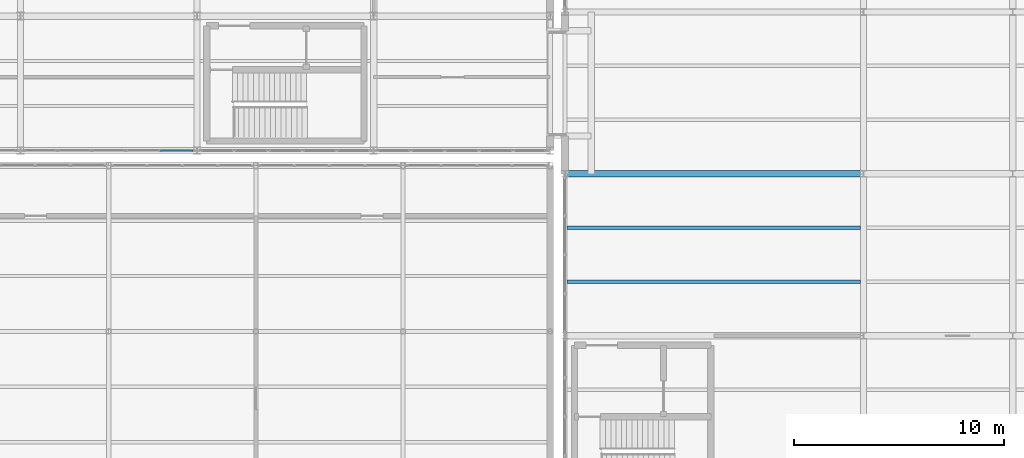
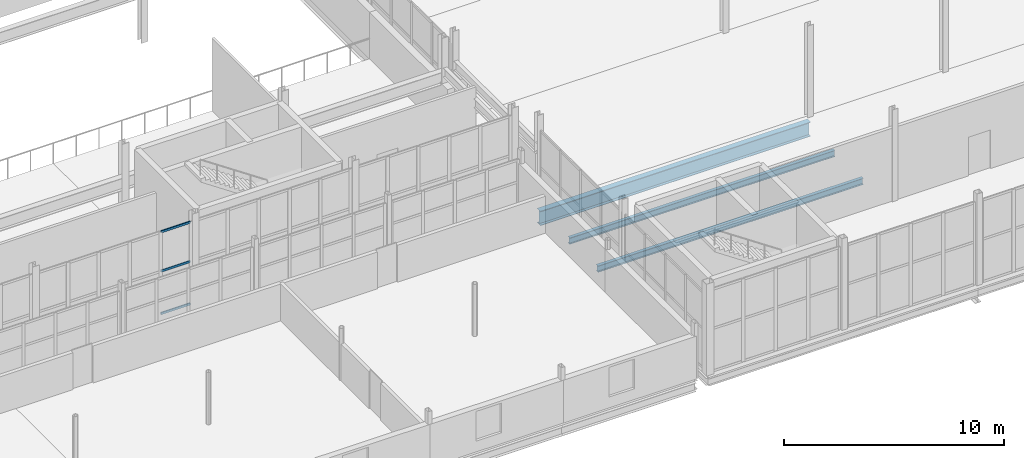
# One storey, part 108 of 218: 3 beams, 3 members, 1 element without a shape of its own.
"""IFC4 building model written with IfcOpenShell, lengths in metres."""

from ifc_helpers import new_model, si_unit, direction, frame, origin, origin_2d, place, context, subcontext, project, spatial, hollow_rectangle, i_section, extrude, material, material_profile, profile_set, type_object, element, aggregate, save


model = new_model("IFC4")

# Units and contexts
model_context = context("Model", 3, precision=1e-05, world=origin(), true_north=direction((0.0, 1.0)))
body_context = subcontext(model_context, "Body", "Model", "MODEL_VIEW")
ifc_project = project(units=[si_unit("LENGTHUNIT", "METRE"), si_unit("AREAUNIT", "SQUARE_METRE"), si_unit("VOLUMEUNIT", "CUBIC_METRE"), si_unit("PLANEANGLEUNIT", "RADIAN"), si_unit("MASSUNIT", "GRAM", prefix="KILO")], contexts=[model_context])

# Site, building, storey
site_placement = place(None, origin())
site = spatial("IfcSite", under=ifc_project, at=site_placement, CompositionType="ELEMENT")
building_placement = place(site_placement, origin())
building = spatial("IfcBuilding", under=site, at=building_placement, Name="Kazenagashi Tramway Depot", CompositionType="ELEMENT")
storey_placement = place(building_placement, frame((0.0, 0.0, 6.0)))
storey = spatial("IfcBuildingStorey", under=building, at=storey_placement, Name="L02", CompositionType="ELEMENT", Elevation=6.0)

# Beams
ifc_material_1 = material(Name="Steel SN490B", Category="steel")
ifc_material_profile_1 = material_profile(ifc_material_1, i_section(OverallWidth=0.3, OverallDepth=0.8, WebThickness=0.014, FlangeThickness=0.026, at=origin_2d()), Name="H-800x300x14x26")
ifc_profile_set_1 = profile_set([ifc_material_profile_1], Name="Steel SN490B")
beam_type_1 = type_object("IfcBeamType", Name="G-07", PredefinedType="BEAM", material=ifc_profile_set_1)
beam_placement = place(storey_placement, frame((146.3, 15.4, -0.68), z_axis=(1.0, 0.0, 0.0), x_axis=(0.0, 1.0, 0.0)))
element("IfcBeam", 1, at=beam_placement, inside=storey, type_object=beam_type_1, Name="Beam G-07 BM-1195", PredefinedType="BEAM", context=body_context, shape_type="SweptSolid", body=[
    extrude(i_section(OverallWidth=0.3, OverallDepth=0.8, WebThickness=0.014, FlangeThickness=0.026, at=origin_2d()), origin(), (0.0, 0.0, 1.0), 14.2),
])
ifc_material_2 = material(Name="Steel SN400B", Category="steel")
ifc_material_profile_2 = material_profile(ifc_material_2, i_section(OverallWidth=0.175, OverallDepth=0.35, WebThickness=0.007, FlangeThickness=0.011, at=origin_2d()), Name="H-350x175x7x11")
ifc_profile_set_2 = profile_set([ifc_material_profile_2], Name="Steel SN400B")
beam_type_2 = type_object("IfcBeamType", Name="J-01", PredefinedType="JOIST", material=ifc_profile_set_2)
for number, where, z_axis, x_axis, name in (
    (2, (146.4, 10.267, -0.455), (1.0, 0.0, 0.0), (0.0, 1.0, 0.0), "Beam J-01 BM-1233"),
    (3, (146.4, 12.833, -0.455), (1.0, 0.0, 0.0), (0.0, 1.0, 0.0), "Beam J-01 BM-1234"),
):
    element("IfcBeam", number, at=place(storey_placement, frame(where, z_axis=z_axis, x_axis=x_axis)), inside=storey, type_object=beam_type_2, Name=name, PredefinedType="JOIST", context=body_context, shape_type="SweptSolid", body=[
        extrude(i_section(OverallWidth=0.175, OverallDepth=0.35, WebThickness=0.007, FlangeThickness=0.011, at=origin_2d()), origin(), (0.0, 0.0, 1.0), 13.95),
    ])

# Curtain wall, members
ifc_material_3 = material(Name="Anodised Aluminium and Low-E Glazing", Category="aluminium")
curtain_wall_type = type_object("IfcCurtainWallType", Name="CW-20", PredefinedType="USERDEFINED", material=ifc_material_3)
curtain_wall_placement = place(storey_placement, origin())
curtain_wall = element("IfcCurtainWall", 4, at=curtain_wall_placement, inside=storey, type_object=curtain_wall_type, Name="Industrial Glazed Screen CW-20 CW-0104", ObjectType="GLAZED SCREEN", PredefinedType="USERDEFINED")
ifc_material_4 = material(Name="Anodised Aluminium", Category="aluminium")
ifc_material_profile_3 = material_profile(ifc_material_4, hollow_rectangle(XDim=0.06, YDim=0.12, WallThickness=0.004, at=origin_2d()), Name="RHS-120x60x4")
ifc_profile_set_3 = profile_set([ifc_material_profile_3], Name="Anodised Aluminium")
member_type = type_object("IfcMemberType", Name="TR-01", PredefinedType="USERDEFINED", material=ifc_profile_set_3)
member_1_placement = place(storey_placement, frame((127.066, 16.5, 0.03), z_axis=(1.0, 0.0, 0.0), x_axis=(0.0, 1.0, 0.0)))
member_1 = element("IfcMember", 5, at=member_1_placement, type_object=member_type, Name="CW-20 transom 5.1", ObjectType="TRANSOM", PredefinedType="USERDEFINED", context=body_context, shape_type="SweptSolid", body=[
    extrude(hollow_rectangle(XDim=0.06, YDim=0.12, WallThickness=0.004, at=origin_2d()), origin(), (0.0, 0.0, 1.0), 1.534),
])
member_2_placement = place(storey_placement, frame((127.066, 16.5, 2.392), z_axis=(1.0, 0.0, 0.0), x_axis=(0.0, 1.0, 0.0)))
member_2 = element("IfcMember", 6, at=member_2_placement, type_object=member_type, Name="CW-20 transom 5.2", ObjectType="TRANSOM", PredefinedType="USERDEFINED", context=body_context, shape_type="SweptSolid", body=[
    extrude(hollow_rectangle(XDim=0.06, YDim=0.12, WallThickness=0.004, at=origin_2d()), origin(), (0.0, 0.0, 1.0), 1.534),
])
member_3_placement = place(storey_placement, frame((127.066, 16.5, 4.57), z_axis=(1.0, 0.0, 0.0), x_axis=(0.0, 1.0, 0.0)))
member_3 = element("IfcMember", 7, at=member_3_placement, type_object=member_type, Name="CW-20 transom 5.3", ObjectType="TRANSOM", PredefinedType="USERDEFINED", context=body_context, shape_type="SweptSolid", body=[
    extrude(hollow_rectangle(XDim=0.06, YDim=0.12, WallThickness=0.004, at=origin_2d()), origin(), (0.0, 0.0, 1.0), 1.534),
])
aggregate(curtain_wall, [member_1, member_2, member_3])

save(model, "model.ifc")
